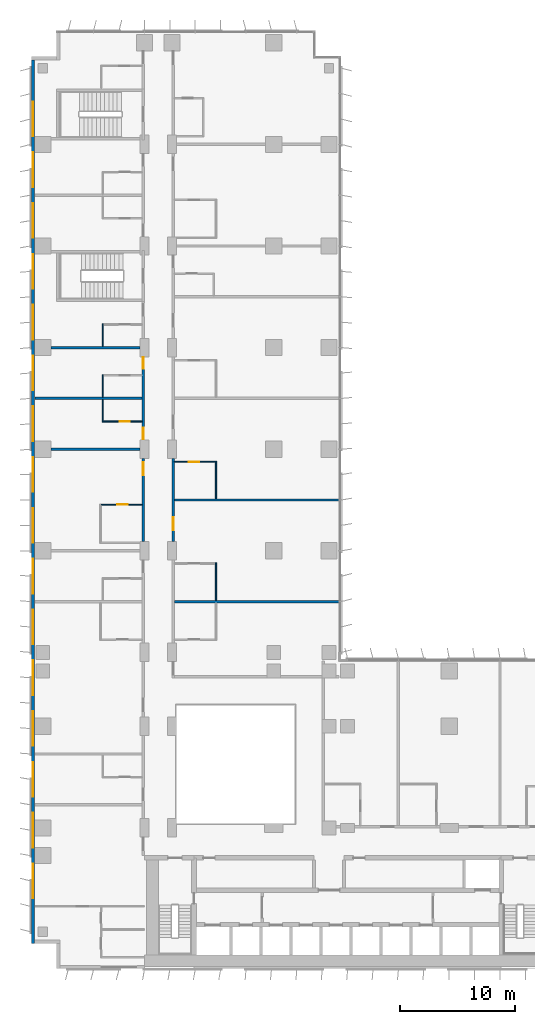
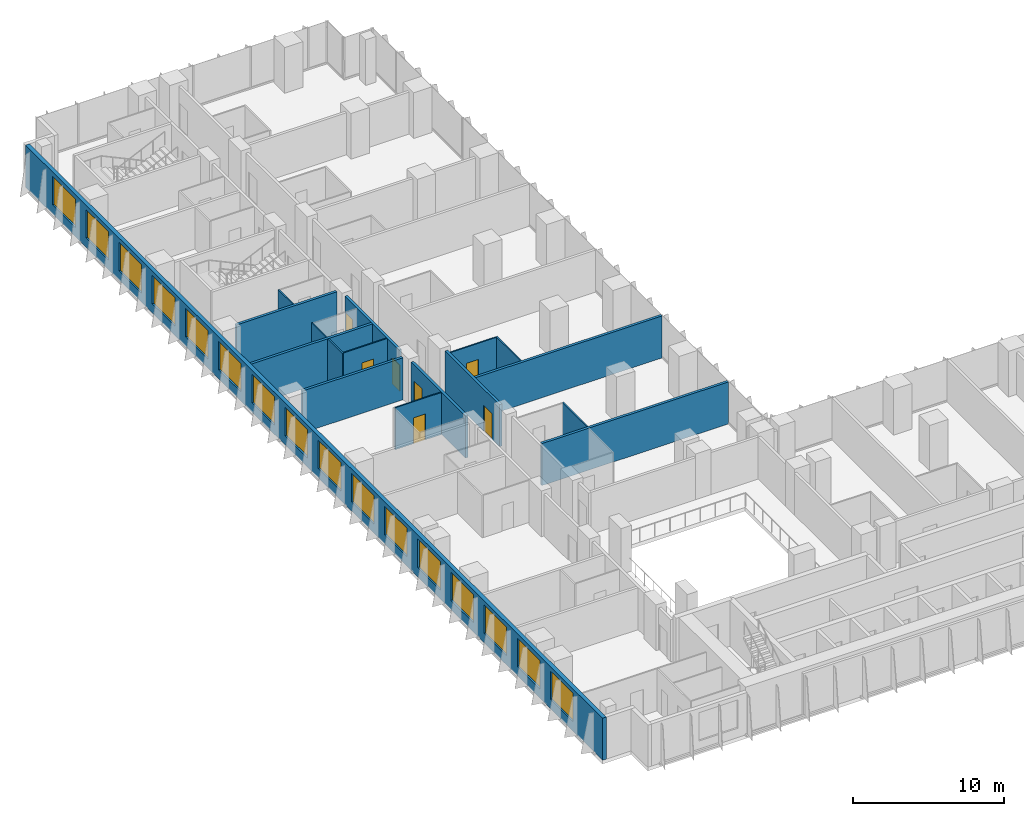
# One storey, part 16 of 24: 17 walls, 16 windows, 7 doors, 23 openings.
"""IFC4 building model written with IfcOpenShell, lengths in metres."""

from ifc_helpers import new_model, si_unit, direction, frame, frame_2d, origin, place, context, subcontext, project, spatial, rectangle, extrude, material, layer, layer_set, type_object, element, fill, save


model = new_model("IFC4")

# Units and contexts
model_context = context("Model", 3, precision=1e-05, world=origin(), true_north=direction((0.0, 1.0)))
body_context = subcontext(model_context, "Body", "Model", "MODEL_VIEW")
ifc_project = project(units=[si_unit("LENGTHUNIT", "METRE"), si_unit("AREAUNIT", "SQUARE_METRE"), si_unit("VOLUMEUNIT", "CUBIC_METRE"), si_unit("PLANEANGLEUNIT", "RADIAN"), si_unit("MASSUNIT", "GRAM", prefix="KILO")], contexts=[model_context])

# Site, building, storey
site_placement = place(None, origin())
site = spatial("IfcSite", under=ifc_project, at=site_placement, CompositionType="ELEMENT")
building_placement = place(site_placement, origin())
building = spatial("IfcBuilding", under=site, at=building_placement, Name="Kemantara Hotel Tower", CompositionType="ELEMENT")
storey_placement = place(building_placement, frame((0.0, 0.0, 52.5)))
storey = spatial("IfcBuildingStorey", under=building, at=storey_placement, Name="L11", CompositionType="ELEMENT", Elevation=52.5)

# Wall, openings, windows
ifc_material_1 = material(Name="Bronze anodised aluminium cladding on insulated steel stud wall", Category="steel")
ifc_layer_1 = layer(ifc_material_1, 0.300048828125)
ifc_layer_set_1 = layer_set([ifc_layer_1], Name="Bronze anodised aluminium cladding on insulated steel stud wall")
wall_type_1 = type_object("IfcWallType", Name="BRONZE METAL-CLAD EXTERNAL WALL 300", PredefinedType="STANDARD", material=ifc_layer_set_1)
wall_1_placement = place(storey_placement, frame((0.14990234375, 78.699951171875, 0.0), z_axis=(0.0, 0.0, 1.0), x_axis=(0.0, -1.0, 0.0)))
wall_1 = element("IfcWall", 1, at=wall_1_placement, inside=storey, type_object=wall_type_1, Name="EXTERNAL WALL L11 T1-R14", PredefinedType="STANDARD", context=body_context, shape_type="SweptSolid", body=[
    extrude(rectangle(XDim=76.5, YDim=0.300048828125, at=frame_2d((38.25, 0.0))), origin(), (0.0, 0.0, 1.0), 3.39990234375),
])
opening_1_placement = place(wall_1_placement, frame((3.60009765625, 0.0, 0.75)))
opening_1 = element("IfcOpeningElement", 2, at=opening_1_placement, cuts=wall_1, Name="Opening W1", PredefinedType="OPENING", context=body_context, shape_type="SweptSolid", body=[
    extrude(rectangle(XDim=3.0, YDim=2.300048828125, at=frame_2d((1.5, 1.14990234375))), frame((0.0, 0.159912109375, 0.0), z_axis=(0.0, -1.0, 0.0), x_axis=(1.0, 0.0, 0.0)), (0.0, 0.0, 1.0), 0.320068359375),
])
opening_2_placement = place(wall_1_placement, frame((8.0, 0.0, 0.75)))
opening_2 = element("IfcOpeningElement", 3, at=opening_2_placement, cuts=wall_1, Name="Opening W1", PredefinedType="OPENING", context=body_context, shape_type="SweptSolid", body=[
    extrude(rectangle(XDim=3.0, YDim=2.300048828125, at=frame_2d((1.5, 1.14990234375))), frame((0.0, 0.159912109375, 0.0), z_axis=(0.0, -1.0, 0.0), x_axis=(1.0, 0.0, 0.0)), (0.0, 0.0, 1.0), 0.320068359375),
])
opening_3_placement = place(wall_1_placement, frame((12.39990234375, 0.0, 0.75)))
opening_3 = element("IfcOpeningElement", 4, at=opening_3_placement, cuts=wall_1, Name="Opening W1", PredefinedType="OPENING", context=body_context, shape_type="SweptSolid", body=[
    extrude(rectangle(XDim=3.0, YDim=2.300048828125, at=frame_2d((1.5, 1.14990234375))), frame((0.0, 0.159912109375, 0.0), z_axis=(0.0, -1.0, 0.0), x_axis=(1.0, 0.0, 0.0)), (0.0, 0.0, 1.0), 0.320068359375),
])
opening_4_placement = place(wall_1_placement, frame((16.800048828125, 0.0, 0.75)))
opening_4 = element("IfcOpeningElement", 5, at=opening_4_placement, cuts=wall_1, Name="Opening W1", PredefinedType="OPENING", context=body_context, shape_type="SweptSolid", body=[
    extrude(rectangle(XDim=3.0, YDim=2.300048828125, at=frame_2d((1.5, 1.14990234375))), frame((0.0, 0.159912109375, 0.0), z_axis=(0.0, -1.0, 0.0), x_axis=(1.0, 0.0, 0.0)), (0.0, 0.0, 1.0), 0.320068359375),
])
opening_5_placement = place(wall_1_placement, frame((21.199951171875, 0.0, 0.75)))
opening_5 = element("IfcOpeningElement", 6, at=opening_5_placement, cuts=wall_1, Name="Opening W1", PredefinedType="OPENING", context=body_context, shape_type="SweptSolid", body=[
    extrude(rectangle(XDim=3.0, YDim=2.300048828125, at=frame_2d((1.5, 1.14990234375))), frame((0.0, 0.159912109375, 0.0), z_axis=(0.0, -1.0, 0.0), x_axis=(1.0, 0.0, 0.0)), (0.0, 0.0, 1.0), 0.320068359375),
])
opening_6_placement = place(wall_1_placement, frame((25.60009765625, 0.0, 0.75)))
opening_6 = element("IfcOpeningElement", 7, at=opening_6_placement, cuts=wall_1, Name="Opening W1", PredefinedType="OPENING", context=body_context, shape_type="SweptSolid", body=[
    extrude(rectangle(XDim=3.0, YDim=2.300048828125, at=frame_2d((1.5, 1.14990234375))), frame((0.0, 0.159912109375, 0.0), z_axis=(0.0, -1.0, 0.0), x_axis=(1.0, 0.0, 0.0)), (0.0, 0.0, 1.0), 0.320068359375),
])
opening_7_placement = place(wall_1_placement, frame((30.0, 0.0, 0.75)))
opening_7 = element("IfcOpeningElement", 8, at=opening_7_placement, cuts=wall_1, Name="Opening W1", PredefinedType="OPENING", context=body_context, shape_type="SweptSolid", body=[
    extrude(rectangle(XDim=3.0, YDim=2.300048828125, at=frame_2d((1.5, 1.14990234375))), frame((0.0, 0.159912109375, 0.0), z_axis=(0.0, -1.0, 0.0), x_axis=(1.0, 0.0, 0.0)), (0.0, 0.0, 1.0), 0.320068359375),
])
opening_8_placement = place(wall_1_placement, frame((34.39990234375, 0.0, 0.75)))
opening_8 = element("IfcOpeningElement", 9, at=opening_8_placement, cuts=wall_1, Name="Opening W1", PredefinedType="OPENING", context=body_context, shape_type="SweptSolid", body=[
    extrude(rectangle(XDim=3.0, YDim=2.300048828125, at=frame_2d((1.5, 1.14990234375))), frame((0.0, 0.159912109375, 0.0), z_axis=(0.0, -1.0, 0.0), x_axis=(1.0, 0.0, 0.0)), (0.0, 0.0, 1.0), 0.320068359375),
])
opening_9_placement = place(wall_1_placement, frame((38.800048828125, 0.0, 0.75)))
opening_9 = element("IfcOpeningElement", 10, at=opening_9_placement, cuts=wall_1, Name="Opening W1", PredefinedType="OPENING", context=body_context, shape_type="SweptSolid", body=[
    extrude(rectangle(XDim=3.0, YDim=2.300048828125, at=frame_2d((1.5, 1.14990234375))), frame((0.0, 0.159912109375, 0.0), z_axis=(0.0, -1.0, 0.0), x_axis=(1.0, 0.0, 0.0)), (0.0, 0.0, 1.0), 0.320068359375),
])
opening_10_placement = place(wall_1_placement, frame((43.199951171875, 0.0, 0.75)))
opening_10 = element("IfcOpeningElement", 11, at=opening_10_placement, cuts=wall_1, Name="Opening W1", PredefinedType="OPENING", context=body_context, shape_type="SweptSolid", body=[
    extrude(rectangle(XDim=3.0, YDim=2.300048828125, at=frame_2d((1.5, 1.14990234375))), frame((0.0, 0.159912109375, 0.0), z_axis=(0.0, -1.0, 0.0), x_axis=(1.0, 0.0, 0.0)), (0.0, 0.0, 1.0), 0.320068359375),
])
opening_11_placement = place(wall_1_placement, frame((47.60009765625, 0.0, 0.75)))
opening_11 = element("IfcOpeningElement", 12, at=opening_11_placement, cuts=wall_1, Name="Opening W1", PredefinedType="OPENING", context=body_context, shape_type="SweptSolid", body=[
    extrude(rectangle(XDim=3.0, YDim=2.300048828125, at=frame_2d((1.5, 1.14990234375))), frame((0.0, 0.159912109375, 0.0), z_axis=(0.0, -1.0, 0.0), x_axis=(1.0, 0.0, 0.0)), (0.0, 0.0, 1.0), 0.320068359375),
])
opening_12_placement = place(wall_1_placement, frame((52.0, 0.0, 0.75)))
opening_12 = element("IfcOpeningElement", 13, at=opening_12_placement, cuts=wall_1, Name="Opening W1", PredefinedType="OPENING", context=body_context, shape_type="SweptSolid", body=[
    extrude(rectangle(XDim=3.0, YDim=2.300048828125, at=frame_2d((1.5, 1.14990234375))), frame((0.0, 0.159912109375, 0.0), z_axis=(0.0, -1.0, 0.0), x_axis=(1.0, 0.0, 0.0)), (0.0, 0.0, 1.0), 0.320068359375),
])
opening_13_placement = place(wall_1_placement, frame((56.39990234375, 0.0, 0.75)))
opening_13 = element("IfcOpeningElement", 14, at=opening_13_placement, cuts=wall_1, Name="Opening W1", PredefinedType="OPENING", context=body_context, shape_type="SweptSolid", body=[
    extrude(rectangle(XDim=3.0, YDim=2.300048828125, at=frame_2d((1.5, 1.14990234375))), frame((0.0, 0.159912109375, 0.0), z_axis=(0.0, -1.0, 0.0), x_axis=(1.0, 0.0, 0.0)), (0.0, 0.0, 1.0), 0.320068359375),
])
opening_14_placement = place(wall_1_placement, frame((60.800048828125, 0.0, 0.75)))
opening_14 = element("IfcOpeningElement", 15, at=opening_14_placement, cuts=wall_1, Name="Opening W1", PredefinedType="OPENING", context=body_context, shape_type="SweptSolid", body=[
    extrude(rectangle(XDim=3.0, YDim=2.300048828125, at=frame_2d((1.5, 1.14990234375))), frame((0.0, 0.159912109375, 0.0), z_axis=(0.0, -1.0, 0.0), x_axis=(1.0, 0.0, 0.0)), (0.0, 0.0, 1.0), 0.320068359375),
])
opening_15_placement = place(wall_1_placement, frame((65.199951171875, 0.0, 0.75)))
opening_15 = element("IfcOpeningElement", 16, at=opening_15_placement, cuts=wall_1, Name="Opening W1", PredefinedType="OPENING", context=body_context, shape_type="SweptSolid", body=[
    extrude(rectangle(XDim=3.0, YDim=2.300048828125, at=frame_2d((1.5, 1.14990234375))), frame((0.0, 0.159912109375, 0.0), z_axis=(0.0, -1.0, 0.0), x_axis=(1.0, 0.0, 0.0)), (0.0, 0.0, 1.0), 0.320068359375),
])
opening_16_placement = place(wall_1_placement, frame((69.60009765625, 0.0, 0.75)))
opening_16 = element("IfcOpeningElement", 17, at=opening_16_placement, cuts=wall_1, Name="Opening W1", PredefinedType="OPENING", context=body_context, shape_type="SweptSolid", body=[
    extrude(rectangle(XDim=3.0, YDim=2.300048828125, at=frame_2d((1.5, 1.14990234375))), frame((0.0, 0.159912109375, 0.0), z_axis=(0.0, -1.0, 0.0), x_axis=(1.0, 0.0, 0.0)), (0.0, 0.0, 1.0), 0.320068359375),
])
ifc_material_2 = material(Name="Low-E tinted double insulated glass in bronze anodised aluminium frame", Category="aluminium")
window_type = type_object("IfcWindowType", Name="CHICAGO WINDOW, TRIPLE PANEL 3000x2300", PartitioningType="TRIPLE_PANEL_VERTICAL", PredefinedType="WINDOW", material=ifc_material_2)
window_1_placement = place(opening_1_placement, origin())
window_1 = element("IfcWindow", 18, at=window_1_placement, inside=storey, type_object=window_type, Name="CHICAGO WINDOW L11 T1-R14-54", OverallHeight=2.300048828125, OverallWidth=3.0, PartitioningType="SINGLE_PANEL", PredefinedType="WINDOW", context=body_context, shape_type="SweptSolid", body=[
    extrude(rectangle(XDim=3.0, YDim=2.300048828125, at=frame_2d((1.5, 1.14990234375))), frame((0.0, 0.030029296875, 0.0), z_axis=(0.0, -1.0, 0.0), x_axis=(1.0, 0.0, 0.0)), (0.0, 0.0, 1.0), 0.06005859375),
])
fill(opening_1, window_1)
window_2_placement = place(opening_2_placement, origin())
window_2 = element("IfcWindow", 19, at=window_2_placement, inside=storey, type_object=window_type, Name="CHICAGO WINDOW L11 T1-R14-98", OverallHeight=2.300048828125, OverallWidth=3.0, PartitioningType="SINGLE_PANEL", PredefinedType="WINDOW", context=body_context, shape_type="SweptSolid", body=[
    extrude(rectangle(XDim=3.0, YDim=2.300048828125, at=frame_2d((1.5, 1.14990234375))), frame((0.0, 0.030029296875, 0.0), z_axis=(0.0, -1.0, 0.0), x_axis=(1.0, 0.0, 0.0)), (0.0, 0.0, 1.0), 0.06005859375),
])
fill(opening_2, window_2)
window_3_placement = place(opening_3_placement, origin())
window_3 = element("IfcWindow", 20, at=window_3_placement, inside=storey, type_object=window_type, Name="CHICAGO WINDOW L11 T1-R14-142", OverallHeight=2.300048828125, OverallWidth=3.0, PartitioningType="SINGLE_PANEL", PredefinedType="WINDOW", context=body_context, shape_type="SweptSolid", body=[
    extrude(rectangle(XDim=3.0, YDim=2.300048828125, at=frame_2d((1.5, 1.14990234375))), frame((0.0, 0.030029296875, 0.0), z_axis=(0.0, -1.0, 0.0), x_axis=(1.0, 0.0, 0.0)), (0.0, 0.0, 1.0), 0.06005859375),
])
fill(opening_3, window_3)
window_4_placement = place(opening_4_placement, origin())
window_4 = element("IfcWindow", 21, at=window_4_placement, inside=storey, type_object=window_type, Name="CHICAGO WINDOW L11 T1-R14-186", OverallHeight=2.300048828125, OverallWidth=3.0, PartitioningType="SINGLE_PANEL", PredefinedType="WINDOW", context=body_context, shape_type="SweptSolid", body=[
    extrude(rectangle(XDim=3.0, YDim=2.300048828125, at=frame_2d((1.5, 1.14990234375))), frame((0.0, 0.030029296875, 0.0), z_axis=(0.0, -1.0, 0.0), x_axis=(1.0, 0.0, 0.0)), (0.0, 0.0, 1.0), 0.06005859375),
])
fill(opening_4, window_4)
window_5_placement = place(opening_5_placement, origin())
window_5 = element("IfcWindow", 22, at=window_5_placement, inside=storey, type_object=window_type, Name="CHICAGO WINDOW L11 T1-R14-230", OverallHeight=2.300048828125, OverallWidth=3.0, PartitioningType="SINGLE_PANEL", PredefinedType="WINDOW", context=body_context, shape_type="SweptSolid", body=[
    extrude(rectangle(XDim=3.0, YDim=2.300048828125, at=frame_2d((1.5, 1.14990234375))), frame((0.0, 0.030029296875, 0.0), z_axis=(0.0, -1.0, 0.0), x_axis=(1.0, 0.0, 0.0)), (0.0, 0.0, 1.0), 0.06005859375),
])
fill(opening_5, window_5)
window_6_placement = place(opening_6_placement, origin())
window_6 = element("IfcWindow", 23, at=window_6_placement, inside=storey, type_object=window_type, Name="CHICAGO WINDOW L11 T1-R14-274", OverallHeight=2.300048828125, OverallWidth=3.0, PartitioningType="SINGLE_PANEL", PredefinedType="WINDOW", context=body_context, shape_type="SweptSolid", body=[
    extrude(rectangle(XDim=3.0, YDim=2.300048828125, at=frame_2d((1.5, 1.14990234375))), frame((0.0, 0.030029296875, 0.0), z_axis=(0.0, -1.0, 0.0), x_axis=(1.0, 0.0, 0.0)), (0.0, 0.0, 1.0), 0.06005859375),
])
fill(opening_6, window_6)
window_7_placement = place(opening_7_placement, origin())
window_7 = element("IfcWindow", 24, at=window_7_placement, inside=storey, type_object=window_type, Name="CHICAGO WINDOW L11 T1-R14-318", OverallHeight=2.300048828125, OverallWidth=3.0, PartitioningType="SINGLE_PANEL", PredefinedType="WINDOW", context=body_context, shape_type="SweptSolid", body=[
    extrude(rectangle(XDim=3.0, YDim=2.300048828125, at=frame_2d((1.5, 1.14990234375))), frame((0.0, 0.030029296875, 0.0), z_axis=(0.0, -1.0, 0.0), x_axis=(1.0, 0.0, 0.0)), (0.0, 0.0, 1.0), 0.06005859375),
])
fill(opening_7, window_7)
window_8_placement = place(opening_8_placement, origin())
window_8 = element("IfcWindow", 25, at=window_8_placement, inside=storey, type_object=window_type, Name="CHICAGO WINDOW L11 T1-R14-362", OverallHeight=2.300048828125, OverallWidth=3.0, PartitioningType="SINGLE_PANEL", PredefinedType="WINDOW", context=body_context, shape_type="SweptSolid", body=[
    extrude(rectangle(XDim=3.0, YDim=2.300048828125, at=frame_2d((1.5, 1.14990234375))), frame((0.0, 0.030029296875, 0.0), z_axis=(0.0, -1.0, 0.0), x_axis=(1.0, 0.0, 0.0)), (0.0, 0.0, 1.0), 0.06005859375),
])
fill(opening_8, window_8)
window_9_placement = place(opening_9_placement, origin())
window_9 = element("IfcWindow", 26, at=window_9_placement, inside=storey, type_object=window_type, Name="CHICAGO WINDOW L11 T1-R14-406", OverallHeight=2.300048828125, OverallWidth=3.0, PartitioningType="SINGLE_PANEL", PredefinedType="WINDOW", context=body_context, shape_type="SweptSolid", body=[
    extrude(rectangle(XDim=3.0, YDim=2.300048828125, at=frame_2d((1.5, 1.14990234375))), frame((0.0, 0.030029296875, 0.0), z_axis=(0.0, -1.0, 0.0), x_axis=(1.0, 0.0, 0.0)), (0.0, 0.0, 1.0), 0.06005859375),
])
fill(opening_9, window_9)
window_10_placement = place(opening_10_placement, origin())
window_10 = element("IfcWindow", 27, at=window_10_placement, inside=storey, type_object=window_type, Name="CHICAGO WINDOW L11 T1-R14-450", OverallHeight=2.300048828125, OverallWidth=3.0, PartitioningType="SINGLE_PANEL", PredefinedType="WINDOW", context=body_context, shape_type="SweptSolid", body=[
    extrude(rectangle(XDim=3.0, YDim=2.300048828125, at=frame_2d((1.5, 1.14990234375))), frame((0.0, 0.030029296875, 0.0), z_axis=(0.0, -1.0, 0.0), x_axis=(1.0, 0.0, 0.0)), (0.0, 0.0, 1.0), 0.06005859375),
])
fill(opening_10, window_10)
window_11_placement = place(opening_11_placement, origin())
window_11 = element("IfcWindow", 28, at=window_11_placement, inside=storey, type_object=window_type, Name="CHICAGO WINDOW L11 T1-R14-494", OverallHeight=2.300048828125, OverallWidth=3.0, PartitioningType="SINGLE_PANEL", PredefinedType="WINDOW", context=body_context, shape_type="SweptSolid", body=[
    extrude(rectangle(XDim=3.0, YDim=2.300048828125, at=frame_2d((1.5, 1.14990234375))), frame((0.0, 0.030029296875, 0.0), z_axis=(0.0, -1.0, 0.0), x_axis=(1.0, 0.0, 0.0)), (0.0, 0.0, 1.0), 0.06005859375),
])
fill(opening_11, window_11)
window_12_placement = place(opening_12_placement, origin())
window_12 = element("IfcWindow", 29, at=window_12_placement, inside=storey, type_object=window_type, Name="CHICAGO WINDOW L11 T1-R14-538", OverallHeight=2.300048828125, OverallWidth=3.0, PartitioningType="SINGLE_PANEL", PredefinedType="WINDOW", context=body_context, shape_type="SweptSolid", body=[
    extrude(rectangle(XDim=3.0, YDim=2.300048828125, at=frame_2d((1.5, 1.14990234375))), frame((0.0, 0.030029296875, 0.0), z_axis=(0.0, -1.0, 0.0), x_axis=(1.0, 0.0, 0.0)), (0.0, 0.0, 1.0), 0.06005859375),
])
fill(opening_12, window_12)
window_13_placement = place(opening_13_placement, origin())
window_13 = element("IfcWindow", 30, at=window_13_placement, inside=storey, type_object=window_type, Name="CHICAGO WINDOW L11 T1-R14-582", OverallHeight=2.300048828125, OverallWidth=3.0, PartitioningType="SINGLE_PANEL", PredefinedType="WINDOW", context=body_context, shape_type="SweptSolid", body=[
    extrude(rectangle(XDim=3.0, YDim=2.300048828125, at=frame_2d((1.5, 1.14990234375))), frame((0.0, 0.030029296875, 0.0), z_axis=(0.0, -1.0, 0.0), x_axis=(1.0, 0.0, 0.0)), (0.0, 0.0, 1.0), 0.06005859375),
])
fill(opening_13, window_13)
window_14_placement = place(opening_14_placement, origin())
window_14 = element("IfcWindow", 31, at=window_14_placement, inside=storey, type_object=window_type, Name="CHICAGO WINDOW L11 T1-R14-626", OverallHeight=2.300048828125, OverallWidth=3.0, PartitioningType="SINGLE_PANEL", PredefinedType="WINDOW", context=body_context, shape_type="SweptSolid", body=[
    extrude(rectangle(XDim=3.0, YDim=2.300048828125, at=frame_2d((1.5, 1.14990234375))), frame((0.0, 0.030029296875, 0.0), z_axis=(0.0, -1.0, 0.0), x_axis=(1.0, 0.0, 0.0)), (0.0, 0.0, 1.0), 0.06005859375),
])
fill(opening_14, window_14)
window_15_placement = place(opening_15_placement, origin())
window_15 = element("IfcWindow", 32, at=window_15_placement, inside=storey, type_object=window_type, Name="CHICAGO WINDOW L11 T1-R14-670", OverallHeight=2.300048828125, OverallWidth=3.0, PartitioningType="SINGLE_PANEL", PredefinedType="WINDOW", context=body_context, shape_type="SweptSolid", body=[
    extrude(rectangle(XDim=3.0, YDim=2.300048828125, at=frame_2d((1.5, 1.14990234375))), frame((0.0, 0.030029296875, 0.0), z_axis=(0.0, -1.0, 0.0), x_axis=(1.0, 0.0, 0.0)), (0.0, 0.0, 1.0), 0.06005859375),
])
fill(opening_15, window_15)
window_16_placement = place(opening_16_placement, origin())
window_16 = element("IfcWindow", 33, at=window_16_placement, inside=storey, type_object=window_type, Name="CHICAGO WINDOW L11 T1-R14-714", OverallHeight=2.300048828125, OverallWidth=3.0, PartitioningType="SINGLE_PANEL", PredefinedType="WINDOW", context=body_context, shape_type="SweptSolid", body=[
    extrude(rectangle(XDim=3.0, YDim=2.300048828125, at=frame_2d((1.5, 1.14990234375))), frame((0.0, 0.030029296875, 0.0), z_axis=(0.0, -1.0, 0.0), x_axis=(1.0, 0.0, 0.0)), (0.0, 0.0, 1.0), 0.06005859375),
])
fill(opening_16, window_16)

# Wall, opening, door
ifc_material_3 = material(Name="Gypsum board partition, steel studs and mineral wool, 200 mm", Category="steel")
ifc_layer_2 = layer(ifc_material_3, 0.199951171875)
ifc_layer_set_2 = layer_set([ifc_layer_2], Name="Gypsum board partition, steel studs and mineral wool, 200 mm")
wall_type_2 = type_object("IfcWallType", Name="CORRIDOR WALL 200", PredefinedType="PARTITIONING", material=ifc_layer_set_2)
wall_2_placement = place(storey_placement, frame((9.699951171875, 37.0, 0.0), z_axis=(0.0, 0.0, 1.0), x_axis=(0.0, 1.0, 0.0)))
wall_2 = element("IfcWall", 34, at=wall_2_placement, inside=storey, type_object=wall_type_2, Name="CORRIDOR WALL 200 031", PredefinedType="PARTITIONING", context=body_context, shape_type="SweptSolid", body=[
    extrude(rectangle(XDim=7.199951171875, YDim=0.199951171875, at=frame_2d((3.60009765625, 0.0))), origin(), (0.0, 0.0, 1.0), 3.39990234375),
])
opening_17_placement = place(wall_2_placement, frame((5.75, 0.0, 0.0)))
opening_17 = element("IfcOpeningElement", 35, at=opening_17_placement, cuts=wall_2, Name="Opening F03-040", PredefinedType="OPENING", context=body_context, shape_type="SweptSolid", body=[
    extrude(rectangle(XDim=1.10009765625, YDim=2.10009765625, at=frame_2d((0.550048828125, 1.050048828125))), frame((0.0, 0.10986328125, 0.0), z_axis=(0.0, -1.0, 0.0), x_axis=(1.0, 0.0, 0.0)), (0.0, 0.0, 1.0), 0.219970703125),
])
ifc_material_4 = material(Name="Hardwood veneer door leaf with steel frame", Category="steel")
door_type_1 = type_object("IfcDoorType", Name="SUITE ENTRANCE DOOR 1100 X 2100 FD30S", OperationType="NOTDEFINED", PredefinedType="DOOR", material=ifc_material_4)
door_1_placement = place(opening_17_placement, origin())
door_1 = element("IfcDoor", 36, at=door_1_placement, inside=storey, type_object=door_type_1, Name="SUITE ENTRANCE DOOR F03-040", OperationType="SINGLE_SWING_RIGHT", OverallHeight=2.10009765625, OverallWidth=1.10009765625, PredefinedType="DOOR", context=body_context, shape_type="SweptSolid", body=[
    extrude(rectangle(XDim=1.10009765625, YDim=2.10009765625, at=frame_2d((0.550048828125, 1.050048828125))), frame((0.0, 0.02490234375, 0.0), z_axis=(0.0, -1.0, 0.0), x_axis=(1.0, 0.0, 0.0)), (0.0, 0.0, 1.0), 0.050048828125),
])
fill(opening_17, door_1)

# Wall, openings, doors
wall_3_placement = place(storey_placement, frame((9.699951171875, 45.800048828125, 0.0), z_axis=(0.0, 0.0, 1.0), x_axis=(0.0, 1.0, 0.0)))
wall_3 = element("IfcWall", 37, at=wall_3_placement, inside=storey, type_object=wall_type_2, Name="CORRIDOR WALL 200 032", PredefinedType="PARTITIONING", context=body_context, shape_type="SweptSolid", body=[
    extrude(rectangle(XDim=7.199951171875, YDim=0.199951171875, at=frame_2d((3.60009765625, 0.0))), origin(), (0.0, 0.0, 1.0), 3.39990234375),
])
opening_18_placement = place(wall_3_placement, frame((0.0498046875, 0.0, 0.0)))
opening_18 = element("IfcOpeningElement", 38, at=opening_18_placement, cuts=wall_3, Name="Opening F03-042", PredefinedType="OPENING", context=body_context, shape_type="SweptSolid", body=[
    extrude(rectangle(XDim=1.0, YDim=2.10009765625, at=frame_2d((0.5, 1.050048828125))), frame((0.0, 0.10986328125, 0.0), z_axis=(0.0, -1.0, 0.0), x_axis=(1.0, 0.0, 0.0)), (0.0, 0.0, 1.0), 0.219970703125),
])
opening_19_placement = place(wall_3_placement, frame((6.14990234375, 0.0, 0.0)))
opening_19 = element("IfcOpeningElement", 39, at=opening_19_placement, cuts=wall_3, Name="Opening F03-044", PredefinedType="OPENING", context=body_context, shape_type="SweptSolid", body=[
    extrude(rectangle(XDim=1.0, YDim=2.10009765625, at=frame_2d((0.5, 1.050048828125))), frame((0.0, 0.10986328125, 0.0), z_axis=(0.0, -1.0, 0.0), x_axis=(1.0, 0.0, 0.0)), (0.0, 0.0, 1.0), 0.219970703125),
])
door_type_2 = type_object("IfcDoorType", Name="GUEST ROOM DOOR 1000 X 2100 FD30S", OperationType="NOTDEFINED", PredefinedType="DOOR", material=ifc_material_4)
door_2_placement = place(opening_18_placement, origin())
door_2 = element("IfcDoor", 40, at=door_2_placement, inside=storey, type_object=door_type_2, Name="GUEST ROOM DOOR F03-042", OperationType="SINGLE_SWING_LEFT", OverallHeight=2.10009765625, OverallWidth=1.0, PredefinedType="DOOR", context=body_context, shape_type="SweptSolid", body=[
    extrude(rectangle(XDim=1.0, YDim=2.10009765625, at=frame_2d((0.5, 1.050048828125))), frame((0.0, 0.02490234375, 0.0), z_axis=(0.0, -1.0, 0.0), x_axis=(1.0, 0.0, 0.0)), (0.0, 0.0, 1.0), 0.050048828125),
])
fill(opening_18, door_2)
door_3_placement = place(opening_19_placement, origin())
door_3 = element("IfcDoor", 41, at=door_3_placement, inside=storey, type_object=door_type_2, Name="GUEST ROOM DOOR F03-044", OperationType="SINGLE_SWING_RIGHT", OverallHeight=2.10009765625, OverallWidth=1.0, PredefinedType="DOOR", context=body_context, shape_type="SweptSolid", body=[
    extrude(rectangle(XDim=1.0, YDim=2.10009765625, at=frame_2d((0.5, 1.050048828125))), frame((0.0, 0.02490234375, 0.0), z_axis=(0.0, -1.0, 0.0), x_axis=(1.0, 0.0, 0.0)), (0.0, 0.0, 1.0), 0.050048828125),
])
fill(opening_19, door_3)

# Wall, opening, door
wall_4_placement = place(storey_placement, frame((12.300048828125, 44.199951171875, 0.0), z_axis=(0.0, 0.0, 1.0), x_axis=(0.0, -1.0, 0.0)))
wall_4 = element("IfcWall", 42, at=wall_4_placement, inside=storey, type_object=wall_type_2, Name="CORRIDOR WALL 200 048", PredefinedType="PARTITIONING", context=body_context, shape_type="SweptSolid", body=[
    extrude(rectangle(XDim=7.199951171875, YDim=0.199951171875, at=frame_2d((3.60009765625, 0.0))), origin(), (0.0, 0.0, 1.0), 3.39990234375),
])
opening_20_placement = place(wall_4_placement, frame((5.099853515625, 0.0, 0.0)))
opening_20 = element("IfcOpeningElement", 43, at=opening_20_placement, cuts=wall_4, Name="Opening F03-056", PredefinedType="OPENING", context=body_context, shape_type="SweptSolid", body=[
    extrude(rectangle(XDim=1.10009765625, YDim=2.10009765625, at=frame_2d((0.550048828125, 1.050048828125))), frame((0.0, 0.10986328125, 0.0), z_axis=(0.0, -1.0, 0.0), x_axis=(1.0, 0.0, 0.0)), (0.0, 0.0, 1.0), 0.219970703125),
])
door_4_placement = place(opening_20_placement, origin())
door_4 = element("IfcDoor", 44, at=door_4_placement, inside=storey, type_object=door_type_1, Name="SUITE ENTRANCE DOOR F03-056", OperationType="SINGLE_SWING_LEFT", OverallHeight=2.10009765625, OverallWidth=1.10009765625, PredefinedType="DOOR", context=body_context, shape_type="SweptSolid", body=[
    extrude(rectangle(XDim=1.10009765625, YDim=2.10009765625, at=frame_2d((0.550048828125, 1.050048828125))), frame((0.0, 0.02490234375, 0.0), z_axis=(0.0, -1.0, 0.0), x_axis=(1.0, 0.0, 0.0)), (0.0, 0.0, 1.0), 0.050048828125),
])
fill(opening_20, door_4)

# Walls
ifc_layer_3 = layer(ifc_material_3, 0.199951171875)
ifc_layer_set_3 = layer_set([ifc_layer_3], Name="Gypsum board partition, steel studs and mineral wool, 200 mm")
wall_type_3 = type_object("IfcWallType", Name="GUEST ROOM PARTY WALL 200", PredefinedType="PARTITIONING", material=ifc_layer_set_3)
wall_5_placement = place(storey_placement, frame((12.39990234375, 31.800048828125, 0.0), z_axis=(0.0, 0.0, 1.0), x_axis=(1.0, 0.0, 0.0)))
element("IfcWall", 45, at=wall_5_placement, inside=storey, type_object=wall_type_3, Name="GUEST ROOM PARTY WALL 200 039", PredefinedType="PARTITIONING", context=body_context, shape_type="SweptSolid", body=[
    extrude(rectangle(XDim=14.27001953125, YDim=0.199951171875, at=frame_2d((7.135009765625, 0.0))), origin(), (0.0, 0.0, 1.0), 3.39990234375),
])
wall_6_placement = place(storey_placement, frame((1.7001953125, 45.0, 0.0), z_axis=(0.0, 0.0, 1.0), x_axis=(1.0, 0.0, 0.0)))
element("IfcWall", 46, at=wall_6_placement, inside=storey, type_object=wall_type_3, Name="GUEST ROOM PARTY WALL 200 041", PredefinedType="PARTITIONING", context=body_context, shape_type="SweptSolid", body=[
    extrude(rectangle(XDim=7.69970703125, YDim=0.199951171875, at=frame_2d((3.849853515625, 0.0))), origin(), (0.0, 0.0, 1.0), 3.39990234375),
])
wall_7_placement = place(storey_placement, frame((0.31005859375, 49.39990234375, 0.0), z_axis=(0.0, 0.0, 1.0), x_axis=(1.0, 0.0, 0.0)))
element("IfcWall", 47, at=wall_7_placement, inside=storey, type_object=wall_type_3, Name="GUEST ROOM PARTY WALL 200 042", PredefinedType="PARTITIONING", context=body_context, shape_type="SweptSolid", body=[
    extrude(rectangle(XDim=9.2900390625, YDim=0.199951171875, at=frame_2d((4.64501953125, 0.0))), origin(), (0.0, 0.0, 1.0), 3.39990234375),
])
wall_8_placement = place(storey_placement, frame((1.7001953125, 53.800048828125, 0.0), z_axis=(0.0, 0.0, 1.0), x_axis=(1.0, 0.0, 0.0)))
element("IfcWall", 48, at=wall_8_placement, inside=storey, type_object=wall_type_3, Name="GUEST ROOM PARTY WALL 200 044", PredefinedType="PARTITIONING", context=body_context, shape_type="SweptSolid", body=[
    extrude(rectangle(XDim=7.69970703125, YDim=0.199951171875, at=frame_2d((3.849853515625, 0.0))), origin(), (0.0, 0.0, 1.0), 3.39990234375),
])
wall_9_placement = place(storey_placement, frame((12.39990234375, 40.60009765625, 0.0), z_axis=(0.0, 0.0, 1.0), x_axis=(1.0, 0.0, 0.0)))
element("IfcWall", 49, at=wall_9_placement, inside=storey, type_object=wall_type_3, Name="GUEST ROOM PARTY WALL 200 056", PredefinedType="PARTITIONING", context=body_context, shape_type="SweptSolid", body=[
    extrude(rectangle(XDim=14.27001953125, YDim=0.199951171875, at=frame_2d((7.135009765625, 0.0))), origin(), (0.0, 0.0, 1.0), 3.39990234375),
])
ifc_material_5 = material(Name="Gypsum board partition on steel studs, 100 mm", Category="steel")
ifc_layer_4 = layer(ifc_material_5, 0.10009765625)
ifc_layer_set_4 = layer_set([ifc_layer_4], Name="Gypsum board partition on steel studs, 100 mm")
wall_type_4 = type_object("IfcWallType", Name="ROOM PARTITION 100", PredefinedType="PARTITIONING", material=ifc_layer_set_4)
for number, where, z_axis, x_axis, name in (
    (50, (6.199951171875, 47.35009765625, 0.0), (0.0, 0.0, 1.0), (0.0, 1.0, 0.0), "ROOM PARTITION 100 098"),
    (51, (6.199951171875, 49.5, 0.0), (0.0, 0.0, 1.0), (0.0, 1.0, 0.0), "ROOM PARTITION 100 099"),
):
    element("IfcWall", number, at=place(storey_placement, frame(where, z_axis=z_axis, x_axis=x_axis)), inside=storey, type_object=wall_type_4, Name=name, PredefinedType="PARTITIONING", context=body_context, shape_type="SweptSolid", body=[
        extrude(rectangle(XDim=1.949951171875, YDim=0.10009765625, at=frame_2d((0.97509765625, 0.0))), origin(), (0.0, 0.0, 1.0), 3.39990234375),
    ])
wall_10_placement = place(storey_placement, frame((6.199951171875, 53.89990234375, 0.0), z_axis=(0.0, 0.0, 1.0), x_axis=(0.0, 1.0, 0.0)))
element("IfcWall", 52, at=wall_10_placement, inside=storey, type_object=wall_type_4, Name="ROOM PARTITION 100 100", PredefinedType="PARTITIONING", context=body_context, shape_type="SweptSolid", body=[
    extrude(rectangle(XDim=1.9501953125, YDim=0.10009765625, at=frame_2d((0.97509765625, 0.0))), origin(), (0.0, 0.0, 1.0), 3.39990234375),
])

# Wall, opening, door
wall_11_placement = place(storey_placement, frame((9.60009765625, 40.199951171875, 0.0), z_axis=(0.0, 0.0, 1.0), x_axis=(-1.0, 0.0, 0.0)))
wall_11 = element("IfcWall", 53, at=wall_11_placement, inside=storey, type_object=wall_type_4, Name="ROOM PARTITION 100 110", PredefinedType="PARTITIONING", context=body_context, shape_type="SweptSolid", body=[
    extrude(rectangle(XDim=3.550048828125, YDim=0.10009765625, at=frame_2d((1.77490234375, 0.0))), origin(), (0.0, 0.0, 1.0), 3.39990234375),
])
opening_21_placement = place(wall_11_placement, frame((1.25, 0.0, 0.0)))
opening_21 = element("IfcOpeningElement", 54, at=opening_21_placement, cuts=wall_11, Name="Opening F03-041", PredefinedType="OPENING", context=body_context, shape_type="SweptSolid", body=[
    extrude(rectangle(XDim=0.89990234375, YDim=2.10009765625, at=frame_2d((0.449951171875, 1.050048828125))), frame((0.0, 0.06005859375, 0.0), z_axis=(0.0, -1.0, 0.0), x_axis=(1.0, 0.0, 0.0)), (0.0, 0.0, 1.0), 0.1201171875),
])
door_type_3 = type_object("IfcDoorType", Name="BATHROOM DOOR 900 X 2100", OperationType="NOTDEFINED", PredefinedType="DOOR", material=ifc_material_4)
door_5_placement = place(opening_21_placement, origin())
door_5 = element("IfcDoor", 55, at=door_5_placement, inside=storey, type_object=door_type_3, Name="BATHROOM DOOR F03-041", OperationType="SINGLE_SWING_LEFT", OverallHeight=2.10009765625, OverallWidth=0.89990234375, PredefinedType="DOOR", context=body_context, shape_type="SweptSolid", body=[
    extrude(rectangle(XDim=0.89990234375, YDim=2.10009765625, at=frame_2d((0.449951171875, 1.050048828125))), frame((0.0, 0.02490234375, 0.0), z_axis=(0.0, -1.0, 0.0), x_axis=(1.0, 0.0, 0.0)), (0.0, 0.0, 1.0), 0.050048828125),
])
fill(opening_21, door_5)

wall_12_placement = place(storey_placement, frame((6.25, 47.39990234375, 0.0), z_axis=(0.0, 0.0, 1.0), x_axis=(1.0, 0.0, 0.0)))
wall_12 = element("IfcWall", 56, at=wall_12_placement, inside=storey, type_object=wall_type_4, Name="ROOM PARTITION 100 111", PredefinedType="PARTITIONING", context=body_context, shape_type="SweptSolid", body=[
    extrude(rectangle(XDim=3.35009765625, YDim=0.10009765625, at=frame_2d((1.675048828125, 0.0))), origin(), (0.0, 0.0, 1.0), 3.39990234375),
])
opening_22_placement = place(wall_12_placement, frame((1.39990234375, 0.0, 0.0)))
opening_22 = element("IfcOpeningElement", 57, at=opening_22_placement, cuts=wall_12, Name="Opening F03-043", PredefinedType="OPENING", context=body_context, shape_type="SweptSolid", body=[
    extrude(rectangle(XDim=0.89990234375, YDim=2.10009765625, at=frame_2d((0.449951171875, 1.050048828125))), frame((0.0, 0.06005859375, 0.0), z_axis=(0.0, -1.0, 0.0), x_axis=(1.0, 0.0, 0.0)), (0.0, 0.0, 1.0), 0.1201171875),
])
door_6_placement = place(opening_22_placement, origin())
door_6 = element("IfcDoor", 58, at=door_6_placement, inside=storey, type_object=door_type_3, Name="BATHROOM DOOR F03-043", OperationType="SINGLE_SWING_RIGHT", OverallHeight=2.10009765625, OverallWidth=0.89990234375, PredefinedType="DOOR", context=body_context, shape_type="SweptSolid", body=[
    extrude(rectangle(XDim=0.89990234375, YDim=2.10009765625, at=frame_2d((0.449951171875, 1.050048828125))), frame((0.0, 0.02490234375, 0.0), z_axis=(0.0, -1.0, 0.0), x_axis=(1.0, 0.0, 0.0)), (0.0, 0.0, 1.0), 0.050048828125),
])
fill(opening_22, door_6)

# Walls
for number, where, z_axis, x_axis, name in (
    (59, (16.0, 31.89990234375, 0.0), (0.0, 0.0, 1.0), (0.0, 1.0, 0.0), "ROOM PARTITION 100 118"),
    (60, (16.0, 40.699951171875, 0.0), (0.0, 0.0, 1.0), (0.0, 1.0, 0.0), "ROOM PARTITION 100 119"),
):
    element("IfcWall", number, at=place(storey_placement, frame(where, z_axis=z_axis, x_axis=x_axis)), inside=storey, type_object=wall_type_4, Name=name, PredefinedType="PARTITIONING", context=body_context, shape_type="SweptSolid", body=[
        extrude(rectangle(XDim=3.25, YDim=0.10009765625, at=frame_2d((1.625, 0.0))), origin(), (0.0, 0.0, 1.0), 3.39990234375),
    ])

# Wall, opening, door
wall_13_placement = place(storey_placement, frame((15.949951171875, 43.89990234375, 0.0), z_axis=(0.0, 0.0, 1.0), x_axis=(-1.0, 0.0, 0.0)))
wall_13 = element("IfcWall", 61, at=wall_13_placement, inside=storey, type_object=wall_type_4, Name="ROOM PARTITION 100 123", PredefinedType="PARTITIONING", context=body_context, shape_type="SweptSolid", body=[
    extrude(rectangle(XDim=3.550048828125, YDim=0.10009765625, at=frame_2d((1.77490234375, 0.0))), origin(), (0.0, 0.0, 1.0), 3.39990234375),
])
opening_23_placement = place(wall_13_placement, frame((1.39990234375, 0.0, 0.0)))
opening_23 = element("IfcOpeningElement", 62, at=opening_23_placement, cuts=wall_13, Name="Opening F03-059", PredefinedType="OPENING", context=body_context, shape_type="SweptSolid", body=[
    extrude(rectangle(XDim=0.89990234375, YDim=2.10009765625, at=frame_2d((0.449951171875, 1.050048828125))), frame((0.0, 0.06005859375, 0.0), z_axis=(0.0, -1.0, 0.0), x_axis=(1.0, 0.0, 0.0)), (0.0, 0.0, 1.0), 0.1201171875),
])
door_7_placement = place(opening_23_placement, origin())
door_7 = element("IfcDoor", 63, at=door_7_placement, inside=storey, type_object=door_type_3, Name="BATHROOM DOOR F03-059", OperationType="SINGLE_SWING_RIGHT", OverallHeight=2.10009765625, OverallWidth=0.89990234375, PredefinedType="DOOR", context=body_context, shape_type="SweptSolid", body=[
    extrude(rectangle(XDim=0.89990234375, YDim=2.10009765625, at=frame_2d((0.449951171875, 1.050048828125))), frame((0.0, 0.02490234375, 0.0), z_axis=(0.0, -1.0, 0.0), x_axis=(1.0, 0.0, 0.0)), (0.0, 0.0, 1.0), 0.050048828125),
])
fill(opening_23, door_7)

save(model, "model.ifc")
